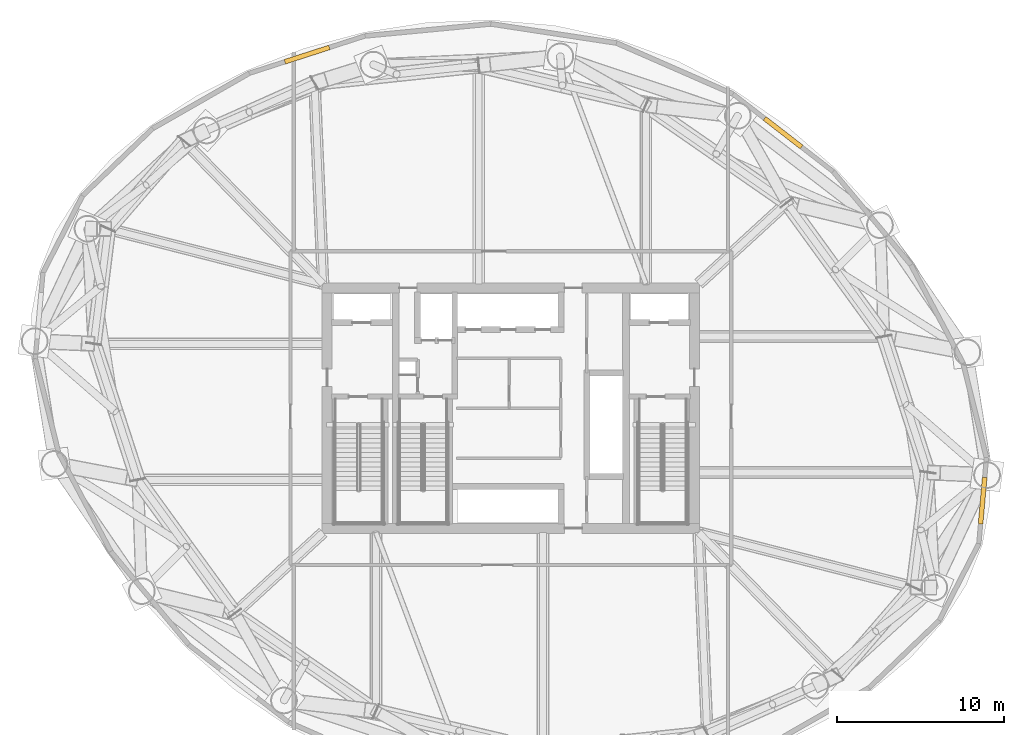
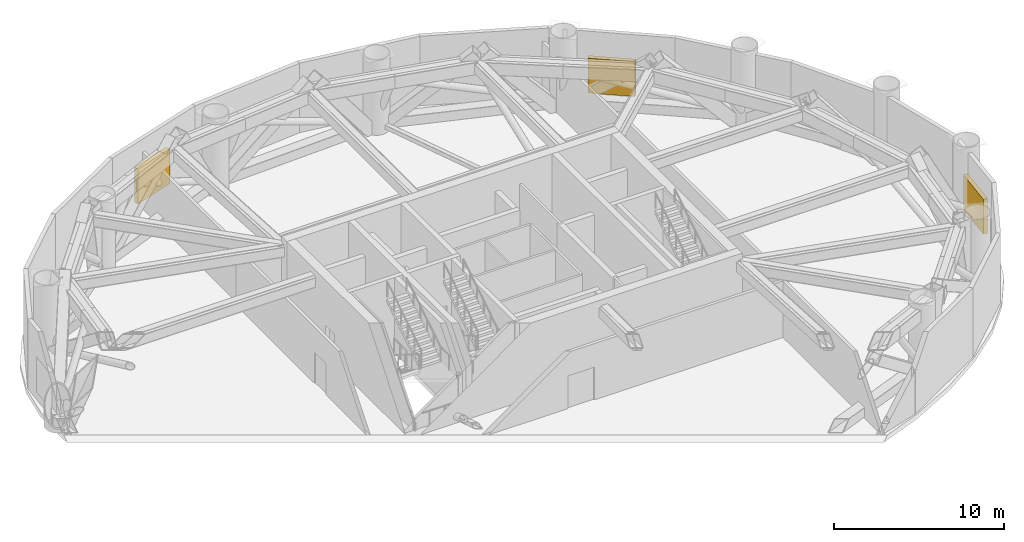
# One storey, part 13 of 13: 3 shading devices.
"""IFC4 building model written with IfcOpenShell, lengths in metres."""

from ifc_helpers import new_model, si_unit, direction, frame, origin, origin_2d, place, context, subcontext, project, spatial, rectangle, extrude, material, type_object, element, save


model = new_model("IFC4")

# Units and contexts
model_context = context("Model", 3, precision=1e-05, world=origin(), true_north=direction((0.0, 1.0)))
body_context = subcontext(model_context, "Body", "Model", "MODEL_VIEW")
ifc_project = project(units=[si_unit("LENGTHUNIT", "METRE"), si_unit("AREAUNIT", "SQUARE_METRE"), si_unit("VOLUMEUNIT", "CUBIC_METRE"), si_unit("PLANEANGLEUNIT", "RADIAN"), si_unit("MASSUNIT", "GRAM", prefix="KILO")], contexts=[model_context])

# Site, building, storey
site_placement = place(None, origin())
site = spatial("IfcSite", under=ifc_project, at=site_placement, CompositionType="ELEMENT")
building_placement = place(site_placement, origin())
building = spatial("IfcBuilding", under=site, at=building_placement, Name="Bramvorn Convention Spire", CompositionType="ELEMENT")
storey_placement = place(building_placement, frame((0.0, 0.0, 97.39990234375)))
storey = spatial("IfcBuildingStorey", under=building, at=storey_placement, Name="L23", CompositionType="ELEMENT", Elevation=97.39990234375)

# Shading devices
ifc_material = material(Name="Acoustic Storm-Proof Anodised Bronze Aluminium Louvre", Category="aluminium")
shading_device_type = type_object("IfcShadingDeviceType", Name="SHD-LOUVRE-PLANT", PredefinedType="JALOUSIE", material=ifc_material)
for number, where, z_axis, x_axis, name in (
    (1, (66.257080078125, 20.46044921875, 0.550048828125), (0.0, 0.0, 1.0), (-0.088397471442, -0.996085281009, 0.0), "L23 plant intake/exhaust acoustic louvre 01"),
    (2, (54.302734375, 42.49560546875, 0.550048828125), (0.0, 0.0, 1.0), (0.79068987419, -0.612216892002, 0.0), "L23 plant intake/exhaust acoustic louvre 05"),
    (3, (25.796875, 47.17578125, 0.550048828125), (0.0, 0.0, 1.0), (0.951726453445, 0.306947483804, 0.0), "L23 plant intake/exhaust acoustic louvre 09"),
):
    element("IfcShadingDevice", number, at=place(storey_placement, frame(where, z_axis=z_axis, x_axis=x_axis)), inside=storey, type_object=shading_device_type, Name=name, PredefinedType="JALOUSIE", context=body_context, shape_type="SweptSolid", body=[
        extrude(rectangle(XDim=2.800048828125, YDim=0.280029296875, at=origin_2d()), origin(), (0.0, 0.0, 1.0), 2.5),
    ])

save(model, "model.ifc")
